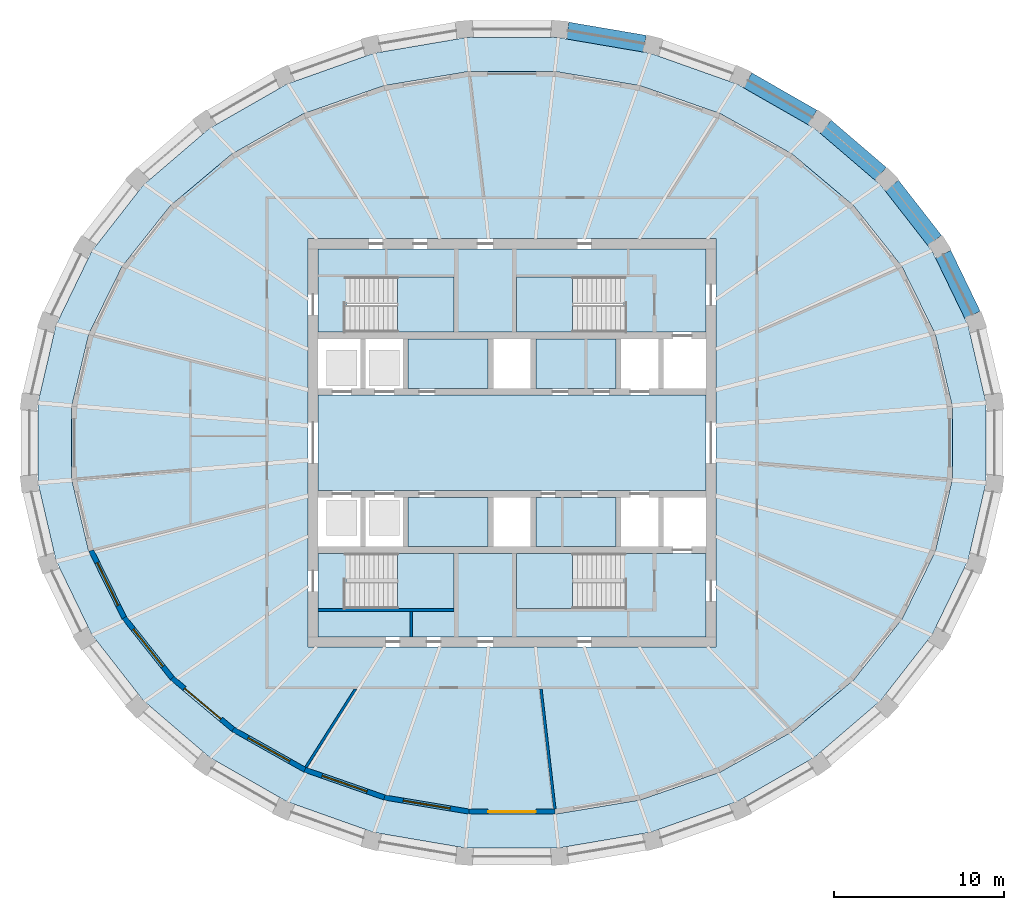
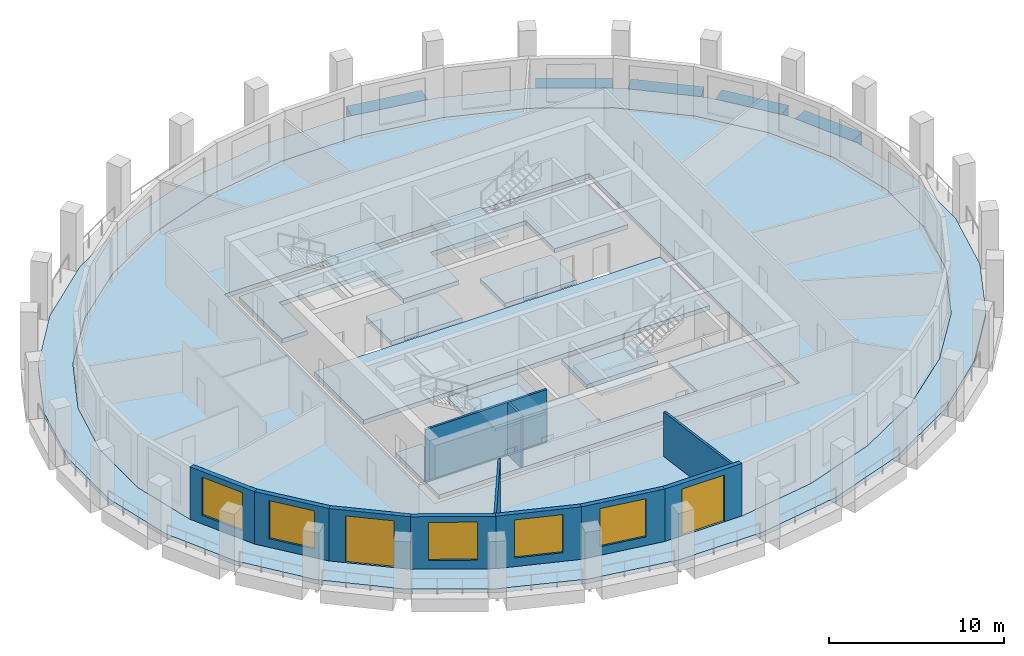
# One storey, part 2 of 10: 13 slabs, 11 walls, 5 beams, 5 windows, 2 doors, 7 openings, 4 elements without a shape of their own.
"""IFC4 building model written with IfcOpenShell, lengths in metres."""

from ifc_helpers import new_model, si_unit, direction, frame, frame_2d, origin, origin_2d, place, context, subcontext, project, spatial, polyline, rectangle, outline, extrude, material, layer, layer_set, material_profile, profile_set, type_object, element, fill, aggregate, save


model = new_model("IFC4")

# Units and contexts
model_context = context("Model", 3, precision=1e-05, world=origin(), true_north=direction((0.0, 1.0)))
body_context = subcontext(model_context, "Body", "Model", "MODEL_VIEW")
ifc_project = project(units=[si_unit("LENGTHUNIT", "METRE"), si_unit("AREAUNIT", "SQUARE_METRE"), si_unit("VOLUMEUNIT", "CUBIC_METRE"), si_unit("PLANEANGLEUNIT", "RADIAN"), si_unit("MASSUNIT", "GRAM", prefix="KILO")], contexts=[model_context])

# Site, building, storey
site_placement = place(None, origin())
site = spatial("IfcSite", under=ifc_project, at=site_placement, CompositionType="ELEMENT")
building_placement = place(site_placement, origin())
building = spatial("IfcBuilding", under=site, at=building_placement, Name="Halqa Exchange Tower", CompositionType="ELEMENT")
storey_placement = place(building_placement, frame((0.0, 0.0, 324.300048828125)))
storey = spatial("IfcBuildingStorey", under=building, at=storey_placement, Name="L76", CompositionType="ELEMENT", Elevation=324.300048828125)

# Beams
ifc_material_1 = material(Name="Concrete C60/75", Category="concrete")
ifc_material_profile = material_profile(ifc_material_1, rectangle(XDim=1.0, YDim=0.89990234375, at=origin_2d()), Name="1000 x 900")
ifc_profile_set = profile_set([ifc_material_profile], Name="Concrete C60/75")
beam_type = type_object("IfcBeamType", Name="RC spandrel beam 1000 x 900 C60/75", PredefinedType="SPANDREL", material=ifc_profile_set)
beam_1_placement = place(storey_placement, frame((27.06591796875, 7.519287109375, -0.449951171875), z_axis=(-0.43505216676, 0.900405248873, 0.0), x_axis=(-0.900405248873, -0.43505216676, 0.0)))
element("IfcBeam", 1, at=beam_1_placement, inside=storey, type_object=beam_type, Name="Spandrel 2", PredefinedType="SPANDREL", context=body_context, shape_type="SweptSolid", body=[
    extrude(rectangle(XDim=1.0, YDim=0.89990234375, at=origin_2d()), origin(), (0.0, 0.0, 1.0), 3.964111328125),
])
beam_2_placement = place(storey_placement, frame((24.8427734375, 11.89013671875, -0.449951171875), z_axis=(-0.61480594236, 0.788678421943, 0.0), x_axis=(-0.788678421943, -0.61480594236, 0.0)))
element("IfcBeam", 2, at=beam_2_placement, inside=storey, type_object=beam_type, Name="Spandrel 3", PredefinedType="SPANDREL", context=body_context, shape_type="SweptSolid", body=[
    extrude(rectangle(XDim=1.0, YDim=0.89990234375, at=origin_2d()), origin(), (0.0, 0.0, 1.0), 4.10009765625),
])
beam_3_placement = place(storey_placement, frame((21.670654296875, 15.805908203125, -0.449951171875), z_axis=(-0.759232294843, 0.65081973116, 0.0), x_axis=(-0.65081973116, -0.759232294843, 0.0)))
element("IfcBeam", 3, at=beam_3_placement, inside=storey, type_object=beam_type, Name="Spandrel 4", PredefinedType="SPANDREL", context=body_context, shape_type="SweptSolid", body=[
    extrude(rectangle(XDim=1.0, YDim=0.89990234375, at=origin_2d()), origin(), (0.0, 0.0, 1.0), 4.25390625),
])
beam_4_placement = place(storey_placement, frame((17.669189453125, 19.119140625, -0.449951171875), z_axis=(-0.86778573249, 0.49693855001, 0.0), x_axis=(-0.49693855001, -0.86778573249, 0.0)))
element("IfcBeam", 4, at=beam_4_placement, inside=storey, type_object=beam_type, Name="Spandrel 5", PredefinedType="SPANDREL", context=body_context, shape_type="SweptSolid", body=[
    extrude(rectangle(XDim=1.0, YDim=0.89990234375, at=origin_2d()), origin(), (0.0, 0.0, 1.0), 4.40478515625),
])
beam_5_placement = place(storey_placement, frame((7.805419921875, 23.456298828125, -0.449951171875), z_axis=(-0.985773042695, 0.168081849987, 0.0), x_axis=(-0.168081849987, -0.985773042695, 0.0)))
element("IfcBeam", 5, at=beam_5_placement, inside=storey, type_object=beam_type, Name="Spandrel 7", PredefinedType="SPANDREL", context=body_context, shape_type="SweptSolid", body=[
    extrude(rectangle(XDim=1.0, YDim=0.89990234375, at=origin_2d()), origin(), (0.0, 0.0, 1.0), 4.6103515625),
])

# Slabs
ifc_layer_1 = layer(ifc_material_1, 0.300048828125)
ifc_layer_set_1 = layer_set([ifc_layer_1], Name="Concrete C60/75")
slab_type_1 = type_object("IfcSlabType", Name="Core floor slab 300", PredefinedType="FLOOR", material=ifc_layer_set_1)
slab_1_placement = place(storey_placement, frame((0.0, 0.0, -0.300048828125)))
element("IfcSlab", 6, at=slab_1_placement, inside=storey, type_object=slab_type_1, Name="Core floor slab", PredefinedType="FLOOR", context=body_context, shape_type="SweptSolid", body=[
    extrude(outline(polyline([(-11.39990234375, 2.800048828125), (11.39990234375, 2.800048828125), (11.39990234375, -2.800048828125), (-11.39990234375, -2.800048828125), (-11.39990234375, 2.800048828125)])), origin(), (0.0, 0.0, 1.0), 0.300048828125),
])
slab_2_placement = place(storey_placement, frame((0.0, 0.0, -0.300048828125)))
element("IfcSlab", 7, at=slab_2_placement, inside=storey, type_object=slab_type_1, Name="Core floor slab", PredefinedType="FLOOR", context=body_context, shape_type="SweptSolid", body=[
    extrude(outline(polyline([(-11.39990234375, 11.39990234375), (11.39990234375, 11.39990234375), (11.39990234375, 6.5), (6.550048828125, 6.5), (6.550048828125, 9.75), (0.25, 9.75), (0.25, 6.5), (-3.39990234375, 6.5), (-3.39990234375, 9.75), (-9.699951171875, 9.75), (-9.699951171875, 6.5), (-11.39990234375, 6.5), (-11.39990234375, 11.39990234375)])), origin(), (0.0, 0.0, 1.0), 0.300048828125),
])
slab_3_placement = place(storey_placement, frame((0.0, 0.0, -0.300048828125)))
element("IfcSlab", 8, at=slab_3_placement, inside=storey, type_object=slab_type_1, Name="Core floor slab", PredefinedType="FLOOR", context=body_context, shape_type="SweptSolid", body=[
    extrude(outline(polyline([(-11.39990234375, -6.5), (-9.699951171875, -6.5), (-9.699951171875, -9.75), (-3.39990234375, -9.75), (-3.39990234375, -6.5), (0.25, -6.5), (0.25, -9.75), (6.550048828125, -9.75), (6.550048828125, -6.5), (11.39990234375, -6.5), (11.39990234375, -11.39990234375), (-11.39990234375, -11.39990234375), (-11.39990234375, -6.5)])), origin(), (0.0, 0.0, 1.0), 0.300048828125),
])
slab_4_placement = place(storey_placement, frame((0.0, 0.0, -0.300048828125)))
element("IfcSlab", 9, at=slab_4_placement, inside=storey, type_object=slab_type_1, Name="Core floor slab", PredefinedType="FLOOR", context=body_context, shape_type="SweptSolid", body=[
    extrude(outline(polyline([(-1.39990234375, -3.199951171875), (-1.39990234375, -6.10009765625), (-6.10009765625, -6.10009765625), (-6.10009765625, -3.199951171875), (-1.39990234375, -3.199951171875)])), origin(), (0.0, 0.0, 1.0), 0.300048828125),
])
slab_5_placement = place(storey_placement, frame((0.0, 0.0, -0.300048828125)))
element("IfcSlab", 10, at=slab_5_placement, inside=storey, type_object=slab_type_1, Name="Core floor slab", PredefinedType="FLOOR", context=body_context, shape_type="SweptSolid", body=[
    extrude(outline(polyline([(-1.39990234375, 3.199951171875), (-6.10009765625, 3.199951171875), (-6.10009765625, 6.10009765625), (-1.39990234375, 6.10009765625), (-1.39990234375, 3.199951171875)])), origin(), (0.0, 0.0, 1.0), 0.300048828125),
])
slab_6_placement = place(storey_placement, frame((0.0, 0.0, -0.300048828125)))
element("IfcSlab", 11, at=slab_6_placement, inside=storey, type_object=slab_type_1, Name="Core floor slab", PredefinedType="FLOOR", context=body_context, shape_type="SweptSolid", body=[
    extrude(outline(polyline([(6.10009765625, -3.199951171875), (6.10009765625, -6.10009765625), (1.39990234375, -6.10009765625), (1.39990234375, -3.199951171875), (6.10009765625, -3.199951171875)])), origin(), (0.0, 0.0, 1.0), 0.300048828125),
])
slab_7_placement = place(storey_placement, frame((0.0, 0.0, -0.300048828125)))
element("IfcSlab", 12, at=slab_7_placement, inside=storey, type_object=slab_type_1, Name="Core floor slab", PredefinedType="FLOOR", context=body_context, shape_type="SweptSolid", body=[
    extrude(outline(polyline([(6.10009765625, 6.10009765625), (6.10009765625, 3.199951171875), (1.39990234375, 3.199951171875), (1.39990234375, 6.10009765625), (6.10009765625, 6.10009765625)])), origin(), (0.0, 0.0, 1.0), 0.300048828125),
])
ifc_material_2 = material(Name="Concrete C40/50", Category="concrete")
ifc_layer_2 = layer(ifc_material_2, 0.300048828125)
ifc_layer_set_2 = layer_set([ifc_layer_2], Name="Concrete C40/50")
slab_type_2 = type_object("IfcSlabType", Name="RC floor slab 300", PredefinedType="FLOOR", material=ifc_layer_set_2)
slab_8_placement = place(storey_placement, frame((0.0, 0.0, -0.300048828125)))
element("IfcSlab", 13, at=slab_8_placement, inside=storey, type_object=slab_type_2, Name="Floor slab", PredefinedType="FLOOR", context=body_context, shape_type="SweptSolid", body=[
    extrude(outline(polyline([(25.876220703125, 2.155029296875), (24.877685546875, 6.380615234375), (22.92041015625, 10.35693359375), (20.08251953125, 13.93115234375), (16.4755859375, 16.966796875), (12.23876953125, 19.34912109375), (7.534912109375, 20.989013671875), (2.5439453125, 21.824462890625), (-2.5439453125, 21.824462890625), (-7.534912109375, 20.989013671875), (-12.23876953125, 19.34912109375), (-16.4755859375, 16.966796875), (-20.08251953125, 13.93115234375), (-22.92041015625, 10.35693359375), (-24.877685546875, 6.380615234375), (-25.876220703125, 2.155029296875), (-25.876220703125, -2.155029296875), (-24.877685546875, -6.380615234375), (-22.92041015625, -10.35693359375), (-20.08251953125, -13.93115234375), (-16.4755859375, -16.966796875), (-12.23876953125, -19.34912109375), (-7.534912109375, -20.989013671875), (-2.5439453125, -21.824462890625), (2.5439453125, -21.824462890625), (7.534912109375, -20.989013671875), (12.23876953125, -19.34912109375), (16.4755859375, -16.966796875), (20.08251953125, -13.93115234375), (22.92041015625, -10.35693359375), (24.877685546875, -6.380615234375), (25.876220703125, -2.155029296875), (25.876220703125, 2.155029296875)]), holes=[polyline([(-12.0, -12.0), (12.0, -12.0), (12.0, 12.0), (-12.0, 12.0), (-12.0, -12.0)])]), origin(), (0.0, 0.0, 1.0), 0.300048828125),
])
ifc_layer_3 = layer(ifc_material_2, 0.300048828125)
ifc_layer_set_3 = layer_set([ifc_layer_3], Name="Concrete C40/50")
slab_type_3 = type_object("IfcSlabType", Name="RC loggia slab 300", PredefinedType="FLOOR", material=ifc_layer_set_3)
slab_9_placement = place(storey_placement, frame((0.0, 0.0, -0.300048828125)))
element("IfcSlab", 14, at=slab_9_placement, inside=storey, type_object=slab_type_3, Name="Loggia slab", PredefinedType="FLOOR", context=body_context, shape_type="SweptSolid", body=[
    extrude(outline(polyline([(27.86279296875, 2.337158203125), (27.86279296875, -2.337158203125), (26.79833984375, -6.923828125), (24.707763671875, -11.250244140625), (21.667236328125, -15.150390625), (17.790771484375, -18.47314453125), (13.22509765625, -21.087890625), (8.146484375, -22.89111328125), (2.751220703125, -23.81103515625), (-2.751220703125, -23.81103515625), (-8.146484375, -22.89111328125), (-13.22509765625, -21.087890625), (-17.790771484375, -18.47314453125), (-21.667236328125, -15.150390625), (-24.707763671875, -11.250244140625), (-26.79833984375, -6.923828125), (-27.86279296875, -2.337158203125), (-27.86279296875, 2.337158203125), (-26.79833984375, 6.923828125), (-24.707763671875, 11.250244140625), (-21.667236328125, 15.150390625), (-17.790771484375, 18.47314453125), (-13.22509765625, 21.087890625), (-8.146484375, 22.89111328125), (-2.751220703125, 23.81103515625), (2.751220703125, 23.81103515625), (8.146484375, 22.89111328125), (13.22509765625, 21.087890625), (17.790771484375, 18.47314453125), (21.667236328125, 15.150390625), (24.707763671875, 11.250244140625), (26.79833984375, 6.923828125), (27.86279296875, 2.337158203125)]), holes=[polyline([(25.876220703125, 2.155029296875), (24.877685546875, 6.380615234375), (22.92041015625, 10.35693359375), (20.08251953125, 13.93115234375), (16.4755859375, 16.966796875), (12.23876953125, 19.34912109375), (7.534912109375, 20.989013671875), (2.5439453125, 21.824462890625), (-2.5439453125, 21.824462890625), (-7.534912109375, 20.989013671875), (-12.23876953125, 19.34912109375), (-16.4755859375, 16.966796875), (-20.08251953125, 13.93115234375), (-22.92041015625, 10.35693359375), (-24.877685546875, 6.380615234375), (-25.876220703125, 2.155029296875), (-25.876220703125, -2.155029296875), (-24.877685546875, -6.380615234375), (-22.92041015625, -10.35693359375), (-20.08251953125, -13.93115234375), (-16.4755859375, -16.966796875), (-12.23876953125, -19.34912109375), (-7.534912109375, -20.989013671875), (-2.5439453125, -21.824462890625), (2.5439453125, -21.824462890625), (7.534912109375, -20.989013671875), (12.23876953125, -19.34912109375), (16.4755859375, -16.966796875), (20.08251953125, -13.93115234375), (22.92041015625, -10.35693359375), (24.877685546875, -6.380615234375), (25.876220703125, -2.155029296875), (25.876220703125, 2.155029296875)])]), origin(), (0.0, 0.0, 1.0), 0.300048828125),
])

# Stair, slab
ifc_material_3 = material(Name="Concrete C30/37", Category="concrete")
stair_type = type_object("IfcStairType", Name="Exit stair 1500 wide", PredefinedType="HALF_TURN_STAIR", material=ifc_material_3)
stair_1_placement = place(storey_placement, origin())
stair_1 = element("IfcStair", 15, at=stair_1_placement, inside=storey, type_object=stair_type, Name="Exit stair ST1", PredefinedType="HALF_TURN_STAIR")
ifc_layer_4 = layer(ifc_material_3, 0.199951171875)
ifc_layer_set_4 = layer_set([ifc_layer_4], Name="Concrete C30/37")
slab_type_4 = type_object("IfcSlabType", Name="Stair landing 200 slab", PredefinedType="LANDING", material=ifc_layer_set_4)
slab_10_placement = place(storey_placement, frame((0.0, 0.0, 1.800048828125)))
slab_10 = element("IfcSlab", 16, at=slab_10_placement, type_object=slab_type_4, Name="ST1 landing 1", PredefinedType="LANDING", context=body_context, shape_type="SweptSolid", body=[
    extrude(outline(polyline([(-6.719970703125, 6.5), (-3.39990234375, 6.5), (-3.39990234375, 9.75), (-6.719970703125, 9.75), (-6.719970703125, 6.5)])), origin(), (0.0, 0.0, 1.0), 0.199951171875),
])
aggregate(stair_1, [slab_10])

stair_2_placement = place(storey_placement, origin())
stair_2 = element("IfcStair", 17, at=stair_2_placement, inside=storey, type_object=stair_type, Name="Exit stair ST2", PredefinedType="HALF_TURN_STAIR")
slab_11_placement = place(storey_placement, frame((0.0, 0.0, 1.800048828125)))
slab_11 = element("IfcSlab", 18, at=slab_11_placement, type_object=slab_type_4, Name="ST2 landing 1", PredefinedType="LANDING", context=body_context, shape_type="SweptSolid", body=[
    extrude(outline(polyline([(0.25, 6.5), (3.570068359375, 6.5), (3.570068359375, 9.75), (0.25, 9.75), (0.25, 6.5)])), origin(), (0.0, 0.0, 1.0), 0.199951171875),
])
aggregate(stair_2, [slab_11])

stair_3_placement = place(storey_placement, origin())
stair_3 = element("IfcStair", 19, at=stair_3_placement, inside=storey, type_object=stair_type, Name="Exit stair ST3", PredefinedType="HALF_TURN_STAIR")
slab_12_placement = place(storey_placement, frame((0.0, 0.0, 1.800048828125)))
slab_12 = element("IfcSlab", 20, at=slab_12_placement, type_object=slab_type_4, Name="ST3 landing 1", PredefinedType="LANDING", context=body_context, shape_type="SweptSolid", body=[
    extrude(outline(polyline([(-6.719970703125, -9.75), (-3.39990234375, -9.75), (-3.39990234375, -6.5), (-6.719970703125, -6.5), (-6.719970703125, -9.75)])), origin(), (0.0, 0.0, 1.0), 0.199951171875),
])
aggregate(stair_3, [slab_12])

stair_4_placement = place(storey_placement, origin())
stair_4 = element("IfcStair", 21, at=stair_4_placement, inside=storey, type_object=stair_type, Name="Exit stair ST4", PredefinedType="HALF_TURN_STAIR")
slab_13_placement = place(storey_placement, frame((0.0, 0.0, 1.800048828125)))
slab_13 = element("IfcSlab", 22, at=slab_13_placement, type_object=slab_type_4, Name="ST4 landing 1", PredefinedType="LANDING", context=body_context, shape_type="SweptSolid", body=[
    extrude(outline(polyline([(0.25, -9.75), (3.570068359375, -9.75), (3.570068359375, -6.5), (0.25, -6.5), (0.25, -9.75)])), origin(), (0.0, 0.0, 1.0), 0.199951171875),
])
aggregate(stair_4, [slab_13])

# Walls
ifc_material_4 = material(Name="Fire-rated gypsum board")
ifc_layer_5 = layer(ifc_material_4, 0.14990234375)
ifc_layer_set_5 = layer_set([ifc_layer_5], Name="Fire-rated gypsum board")
wall_type_1 = type_object("IfcWallType", Name="Fire partition EI 60 150", PredefinedType="PARTITIONING", material=ifc_layer_set_5)
wall_1_placement = place(storey_placement, frame((-9.172119140625, -14.43505859375, 0.0), z_axis=(0.0, 0.0, 1.0), x_axis=(-0.536016173419, -0.844207712493, 0.0)))
element("IfcWall", 23, at=wall_1_placement, inside=storey, type_object=wall_type_1, Name="L76-PWL-009", PredefinedType="PARTITIONING", context=body_context, shape_type="SweptSolid", body=[
    extrude(outline(polyline([(0.094970703125, -0.074951171875), (1.89599609375, -0.074951171875), (3.697265625, -0.074951171875), (5.498291015625, -0.074951171875), (5.494140625, 0.002685546875), (5.477294921875, 0.074951171875), (3.6513671875, 0.074951171875), (1.82568359375, 0.074951171875), (0.0, 0.074951171875), (0.0, 0.074462890625), (0.094970703125, -0.074951171875)])), origin(), (0.0, 0.0, 1.0), 3.64990234375),
])
wall_2_placement = place(storey_placement, frame((1.69775390625, -14.466552734375, 0.0), z_axis=(0.0, 0.0, 1.0), x_axis=(0.115131681879, -0.993350238248, 0.0)))
element("IfcWall", 24, at=wall_2_placement, inside=storey, type_object=wall_type_1, Name="L76-PWL-012", PredefinedType="PARTITIONING", context=body_context, shape_type="SweptSolid", body=[
    extrude(outline(polyline([(0.0, -0.074951171875), (1.774169921875, -0.074951171875), (3.54833984375, -0.074951171875), (5.322265625, -0.074951171875), (7.096435546875, -0.074951171875), (7.1015625, -0.03125), (7.1015625, 0.074951171875), (5.33056640625, 0.074951171875), (3.559326171875, 0.074951171875), (1.788330078125, 0.074951171875), (0.01708984375, 0.074951171875), (0.0, -0.073486328125), (0.0, -0.074951171875)])), origin(), (0.0, 0.0, 1.0), 3.099853515625),
])
ifc_material_5 = material(Name="Gypsum board")
ifc_layer_6 = layer(ifc_material_5, 0.14990234375)
ifc_layer_set_6 = layer_set([ifc_layer_6], Name="Gypsum board")
wall_type_2 = type_object("IfcWallType", Name="Penthouse riser wall 150 gypsum", PredefinedType="PARTITIONING", material=ifc_layer_set_6)
wall_3_placement = place(storey_placement, frame((-5.925048828125, -11.39990234375, 0.0), z_axis=(0.0, 0.0, 1.0), x_axis=(0.0, 1.0, 0.0)))
element("IfcWall", 25, at=wall_3_placement, inside=storey, type_object=wall_type_2, Name="Partition W5.925 S", PredefinedType="PARTITIONING", context=body_context, shape_type="SweptSolid", body=[
    extrude(rectangle(XDim=1.5, YDim=0.14990234375, at=frame_2d((0.75, 0.0))), origin(), (0.0, 0.0, 1.0), 3.64990234375),
])
ifc_layer_7 = layer(ifc_material_3, 0.14990234375)
ifc_layer_set_7 = layer_set([ifc_layer_7], Name="Concrete C30/37")
wall_type_3 = type_object("IfcWallType", Name="RC stair wall 150 C30/37", PredefinedType="SHEAR", material=ifc_layer_set_7)
wall_4_placement = place(storey_placement, frame((-11.39990234375, -9.824951171875, 0.0), z_axis=(0.0, 0.0, 1.0), x_axis=(1.0, 0.0, 0.0)))
element("IfcWall", 26, at=wall_4_placement, inside=storey, type_object=wall_type_3, Name="Stair ST1 north wall S", PredefinedType="SHEAR", context=body_context, shape_type="SweptSolid", body=[
    extrude(rectangle(XDim=8.0, YDim=0.14990234375, at=frame_2d((4.0, 0.0))), origin(), (0.0, 0.0, 1.0), 3.64990234375),
])

# Wall, opening, window
ifc_material_6 = material(Name="Limestone cladding", Category="masonry")
ifc_layer_8 = layer(ifc_material_6, 0.0400390625)
ifc_material_7 = material(Name="Ventilated cavity")
ifc_layer_9 = layer(ifc_material_7, 0.030029296875, ventilated=True)
ifc_material_8 = material(Name="Mineral wool insulation")
ifc_layer_10 = layer(ifc_material_8, 0.10009765625)
ifc_layer_11 = layer(ifc_material_3, 0.10009765625)
ifc_material_9 = material(Name="Internal plaster")
ifc_layer_12 = layer(ifc_material_9, 0.030029296875)
ifc_layer_set_8 = layer_set([ifc_layer_8, ifc_layer_9, ifc_layer_10, ifc_layer_11, ifc_layer_12], Name="Stone-faced insulated wall 300")
wall_type_4 = type_object("IfcWallType", Name="Stone-faced insulated wall 300", PredefinedType="STANDARD", material=ifc_layer_set_8)
wall_5_placement = place(storey_placement, frame((-24.735595703125, -6.32958984375, 0.0), z_axis=(0.0, 0.0, 1.0), x_axis=(0.441610485853, -0.897206876247, 0.0)))
wall_5 = element("IfcWall", 27, at=wall_5_placement, inside=storey, type_object=wall_type_4, Name="Glass-line wall 18", PredefinedType="STANDARD", context=body_context, shape_type="SweptSolid", body=[
    extrude(outline(polyline([(-0.01708984375, -0.14990234375), (4.4150390625, -0.14990234375), (4.3828125, 0.14990234375), (0.01708984375, 0.14990234375), (-0.01708984375, -0.14990234375)])), origin(), (0.0, 0.0, 1.0), 3.64990234375),
])
opening_1_placement = place(wall_5_placement, frame((0.799560546875, 0.0, 0.60009765625)))
opening_1 = element("IfcOpeningElement", 28, at=opening_1_placement, cuts=wall_5, Name="Opening W-F4-18", PredefinedType="OPENING", context=body_context, shape_type="SweptSolid", body=[
    extrude(rectangle(XDim=2.800048828125, YDim=2.64990234375, at=frame_2d((1.39990234375, 1.324951171875))), frame((0.0, 0.162109375, 0.0), z_axis=(0.0, -1.0, 0.0), x_axis=(1.0, 0.0, 0.0)), (0.0, 0.0, 1.0), 0.323974609375),
])
ifc_material_10 = material(Name="Clear low-emissivity glass in aluminium frame", Category="aluminium")
window_type = type_object("IfcWindowType", Name="Fixed clear glazed window 2800 x 2650", PartitioningType="DOUBLE_PANEL_VERTICAL", PredefinedType="WINDOW", material=ifc_material_10)
window_1_placement = place(opening_1_placement, origin())
window_1 = element("IfcWindow", 29, at=window_1_placement, inside=storey, type_object=window_type, Name="Window 4", OverallHeight=2.64990234375, OverallWidth=2.800048828125, PartitioningType="DOUBLE_PANEL_VERTICAL", PredefinedType="WINDOW", context=body_context, shape_type="SweptSolid", body=[
    extrude(rectangle(XDim=2.800048828125, YDim=2.64990234375, at=frame_2d((1.39990234375, 1.324951171875))), frame((0.0, 0.030029296875, 0.0), z_axis=(0.0, -1.0, 0.0), x_axis=(1.0, 0.0, 0.0)), (0.0, 0.0, 1.0), 0.06005859375),
])
fill(opening_1, window_1)

wall_6_placement = place(storey_placement, frame((-22.79296875, -10.2763671875, 0.0), z_axis=(0.0, 0.0, 1.0), x_axis=(0.621800530555, -0.783175650925, 0.0)))
wall_6 = element("IfcWall", 30, at=wall_6_placement, inside=storey, type_object=wall_type_4, Name="Glass-line wall 19", PredefinedType="STANDARD", context=body_context, shape_type="SweptSolid", body=[
    extrude(outline(polyline([(-0.01611328125, -0.14990234375), (4.547607421875, -0.14990234375), (4.517333984375, 0.14990234375), (0.01611328125, 0.14990234375), (-0.01611328125, -0.14990234375)])), origin(), (0.0, 0.0, 1.0), 3.64990234375),
])
opening_2_placement = place(wall_6_placement, frame((0.8662109375, 0.0, 0.60009765625)))
opening_2 = element("IfcOpeningElement", 31, at=opening_2_placement, cuts=wall_6, Name="Opening W-F4-19", PredefinedType="OPENING", context=body_context, shape_type="SweptSolid", body=[
    extrude(rectangle(XDim=2.800048828125, YDim=2.64990234375, at=frame_2d((1.39990234375, 1.324951171875))), frame((0.0, 0.162109375, 0.0), z_axis=(0.0, -1.0, 0.0), x_axis=(1.0, 0.0, 0.0)), (0.0, 0.0, 1.0), 0.323974609375),
])
window_2_placement = place(opening_2_placement, origin())
window_2 = element("IfcWindow", 32, at=window_2_placement, inside=storey, type_object=window_type, Name="Window 4", OverallHeight=2.64990234375, OverallWidth=2.800048828125, PartitioningType="DOUBLE_PANEL_VERTICAL", PredefinedType="WINDOW", context=body_context, shape_type="SweptSolid", body=[
    extrude(rectangle(XDim=2.800048828125, YDim=2.64990234375, at=frame_2d((1.39990234375, 1.324951171875))), frame((0.0, 0.030029296875, 0.0), z_axis=(0.0, -1.0, 0.0), x_axis=(1.0, 0.0, 0.0)), (0.0, 0.0, 1.0), 0.06005859375),
])
fill(opening_2, window_2)

# Wall, opening, door
wall_7_placement = place(storey_placement, frame((-19.974609375, -13.826171875, 0.0), z_axis=(0.0, 0.0, 1.0), x_axis=(0.765128700347, -0.643877373344, 0.0)))
wall_7 = element("IfcWall", 33, at=wall_7_placement, inside=storey, type_object=wall_type_4, Name="Glass-line wall 20", PredefinedType="STANDARD", context=body_context, shape_type="SweptSolid", body=[
    extrude(outline(polyline([(-0.01513671875, -0.14990234375), (4.69970703125, -0.14990234375), (4.67138671875, 0.14990234375), (0.01513671875, 0.14990234375), (-0.01513671875, -0.14990234375)])), origin(), (0.0, 0.0, 1.0), 3.64990234375),
])
opening_3_placement = place(wall_7_placement, frame((0.942626953125, 0.0, 0.0)))
opening_3 = element("IfcOpeningElement", 34, at=opening_3_placement, cuts=wall_7, Name="Opening LG-F4-05", PredefinedType="OPENING", context=body_context, shape_type="SweptSolid", body=[
    extrude(rectangle(XDim=2.800048828125, YDim=3.25, at=frame_2d((1.39990234375, 1.625))), frame((0.0, 0.162109375, 0.0), z_axis=(0.0, -1.0, 0.0), x_axis=(1.0, 0.0, 0.0)), (0.0, 0.0, 1.0), 0.323974609375),
])
door_type = type_object("IfcDoorType", Name="Glazed sliding loggia door 2800 x 3250", OperationType="DOUBLE_DOOR_SLIDING", PredefinedType="DOOR", material=ifc_material_10)
door_1_placement = place(opening_3_placement, origin())
door_1 = element("IfcDoor", 35, at=door_1_placement, inside=storey, type_object=door_type, Name="Loggia door 5", OperationType="DOUBLE_DOOR_SLIDING", OverallHeight=3.25, OverallWidth=2.800048828125, PredefinedType="DOOR", context=body_context, shape_type="SweptSolid", body=[
    extrude(rectangle(XDim=2.800048828125, YDim=3.25, at=frame_2d((1.39990234375, 1.625))), frame((0.0, 0.02490234375, 0.0), z_axis=(0.0, -1.0, 0.0), x_axis=(1.0, 0.0, 0.0)), (0.0, 0.0, 1.0), 0.050048828125),
])
fill(opening_3, door_1)

# Wall, opening, window
wall_8_placement = place(storey_placement, frame((-16.3896484375, -16.843017578125, 0.0), z_axis=(0.0, 0.0, 1.0), x_axis=(0.871651071333, -0.49012693238, 0.0)))
wall_8 = element("IfcWall", 36, at=wall_8_placement, inside=storey, type_object=wall_type_4, Name="Glass-line wall 21", PredefinedType="STANDARD", context=body_context, shape_type="SweptSolid", body=[
    extrude(outline(polyline([(-0.01416015625, -0.14990234375), (4.846435546875, -0.14990234375), (4.820068359375, 0.14990234375), (0.01416015625, 0.14990234375), (-0.01416015625, -0.14990234375)])), origin(), (0.0, 0.0, 1.0), 3.64990234375),
])
opening_4_placement = place(wall_8_placement, frame((1.0166015625, 0.0, 0.60009765625)))
opening_4 = element("IfcOpeningElement", 37, at=opening_4_placement, cuts=wall_8, Name="Opening W-F4-21", PredefinedType="OPENING", context=body_context, shape_type="SweptSolid", body=[
    extrude(rectangle(XDim=2.800048828125, YDim=2.64990234375, at=frame_2d((1.39990234375, 1.324951171875))), frame((0.0, 0.162109375, 0.0), z_axis=(0.0, -1.0, 0.0), x_axis=(1.0, 0.0, 0.0)), (0.0, 0.0, 1.0), 0.323974609375),
])
window_3_placement = place(opening_4_placement, origin())
window_3 = element("IfcWindow", 38, at=window_3_placement, inside=storey, type_object=window_type, Name="Window 4", OverallHeight=2.64990234375, OverallWidth=2.800048828125, PartitioningType="DOUBLE_PANEL_VERTICAL", PredefinedType="WINDOW", context=body_context, shape_type="SweptSolid", body=[
    extrude(rectangle(XDim=2.800048828125, YDim=2.64990234375, at=frame_2d((1.39990234375, 1.324951171875))), frame((0.0, 0.030029296875, 0.0), z_axis=(0.0, -1.0, 0.0), x_axis=(1.0, 0.0, 0.0)), (0.0, 0.0, 1.0), 0.06005859375),
])
fill(opening_4, window_3)

wall_9_placement = place(storey_placement, frame((-12.1767578125, -19.2119140625, 0.0), z_axis=(0.0, 0.0, 1.0), x_axis=(0.944273917508, -0.329160703479, 0.0)))
wall_9 = element("IfcWall", 39, at=wall_9_placement, inside=storey, type_object=wall_type_4, Name="Glass-line wall 22", PredefinedType="STANDARD", context=body_context, shape_type="SweptSolid", body=[
    extrude(outline(polyline([(-0.01318359375, -0.14990234375), (4.968017578125, -0.14990234375), (4.942626953125, 0.14990234375), (0.01318359375, 0.14990234375), (-0.01318359375, -0.14990234375)])), origin(), (0.0, 0.0, 1.0), 3.64990234375),
])
opening_5_placement = place(wall_9_placement, frame((1.07763671875, 0.0, 0.60009765625)))
opening_5 = element("IfcOpeningElement", 40, at=opening_5_placement, cuts=wall_9, Name="Opening W-F4-22", PredefinedType="OPENING", context=body_context, shape_type="SweptSolid", body=[
    extrude(rectangle(XDim=2.800048828125, YDim=2.64990234375, at=frame_2d((1.39990234375, 1.324951171875))), frame((0.0, 0.162109375, 0.0), z_axis=(0.0, -1.0, 0.0), x_axis=(1.0, 0.0, 0.0)), (0.0, 0.0, 1.0), 0.323974609375),
])
window_4_placement = place(opening_5_placement, origin())
window_4 = element("IfcWindow", 41, at=window_4_placement, inside=storey, type_object=window_type, Name="Window 4", OverallHeight=2.64990234375, OverallWidth=2.800048828125, PartitioningType="DOUBLE_PANEL_VERTICAL", PredefinedType="WINDOW", context=body_context, shape_type="SweptSolid", body=[
    extrude(rectangle(XDim=2.800048828125, YDim=2.64990234375, at=frame_2d((1.39990234375, 1.324951171875))), frame((0.0, 0.030029296875, 0.0), z_axis=(0.0, -1.0, 0.0), x_axis=(1.0, 0.0, 0.0)), (0.0, 0.0, 1.0), 0.06005859375),
])
fill(opening_5, window_4)

wall_10_placement = place(storey_placement, frame((-7.49755859375, -20.843017578125, 0.0), z_axis=(0.0, 0.0, 1.0), x_axis=(0.986269147983, -0.165145898335, 0.0)))
wall_10 = element("IfcWall", 42, at=wall_10_placement, inside=storey, type_object=wall_type_4, Name="Glass-line wall 23", PredefinedType="STANDARD", context=body_context, shape_type="SweptSolid", body=[
    extrude(outline(polyline([(-0.0126953125, -0.14990234375), (5.047607421875, -0.14990234375), (5.022705078125, 0.14990234375), (0.0126953125, 0.14990234375), (-0.0126953125, -0.14990234375)])), origin(), (0.0, 0.0, 1.0), 3.64990234375),
])
opening_6_placement = place(wall_10_placement, frame((1.11767578125, 0.0, 0.60009765625)))
opening_6 = element("IfcOpeningElement", 43, at=opening_6_placement, cuts=wall_10, Name="Opening W-F4-23", PredefinedType="OPENING", context=body_context, shape_type="SweptSolid", body=[
    extrude(rectangle(XDim=2.800048828125, YDim=2.64990234375, at=frame_2d((1.39990234375, 1.324951171875))), frame((0.0, 0.162109375, 0.0), z_axis=(0.0, -1.0, 0.0), x_axis=(1.0, 0.0, 0.0)), (0.0, 0.0, 1.0), 0.323974609375),
])
window_5_placement = place(opening_6_placement, origin())
window_5 = element("IfcWindow", 44, at=window_5_placement, inside=storey, type_object=window_type, Name="Window 4", OverallHeight=2.64990234375, OverallWidth=2.800048828125, PartitioningType="DOUBLE_PANEL_VERTICAL", PredefinedType="WINDOW", context=body_context, shape_type="SweptSolid", body=[
    extrude(rectangle(XDim=2.800048828125, YDim=2.64990234375, at=frame_2d((1.39990234375, 1.324951171875))), frame((0.0, 0.030029296875, 0.0), z_axis=(0.0, -1.0, 0.0), x_axis=(1.0, 0.0, 0.0)), (0.0, 0.0, 1.0), 0.06005859375),
])
fill(opening_6, window_5)

# Wall, opening, door
wall_11_placement = place(storey_placement, frame((-2.531494140625, -21.674560546875, 0.0), z_axis=(0.0, 0.0, 1.0), x_axis=(1.0, 0.0, 0.0)))
wall_11 = element("IfcWall", 45, at=wall_11_placement, inside=storey, type_object=wall_type_4, Name="Glass-line wall 24", PredefinedType="STANDARD", context=body_context, shape_type="SweptSolid", body=[
    extrude(outline(polyline([(-0.012451171875, -0.14990234375), (5.075439453125, -0.14990234375), (5.050537109375, 0.14990234375), (0.012451171875, 0.14990234375), (-0.012451171875, -0.14990234375)])), origin(), (0.0, 0.0, 1.0), 3.64990234375),
])
opening_7_placement = place(wall_11_placement, frame((1.131591796875, 0.0, 0.0)))
opening_7 = element("IfcOpeningElement", 46, at=opening_7_placement, cuts=wall_11, Name="Opening LG-F4-06", PredefinedType="OPENING", context=body_context, shape_type="SweptSolid", body=[
    extrude(rectangle(XDim=2.800048828125, YDim=3.25, at=frame_2d((1.39990234375, 1.625))), frame((0.0, 0.162109375, 0.0), z_axis=(0.0, -1.0, 0.0), x_axis=(1.0, 0.0, 0.0)), (0.0, 0.0, 1.0), 0.323974609375),
])
door_2_placement = place(opening_7_placement, origin())
door_2 = element("IfcDoor", 47, at=door_2_placement, inside=storey, type_object=door_type, Name="Loggia door 6", OperationType="DOUBLE_DOOR_SLIDING", OverallHeight=3.25, OverallWidth=2.800048828125, PredefinedType="DOOR", context=body_context, shape_type="SweptSolid", body=[
    extrude(rectangle(XDim=2.800048828125, YDim=3.25, at=frame_2d((1.39990234375, 1.625))), frame((0.0, 0.02490234375, 0.0), z_axis=(0.0, -1.0, 0.0), x_axis=(1.0, 0.0, 0.0)), (0.0, 0.0, 1.0), 0.050048828125),
])
fill(opening_7, door_2)

save(model, "model.ifc")
